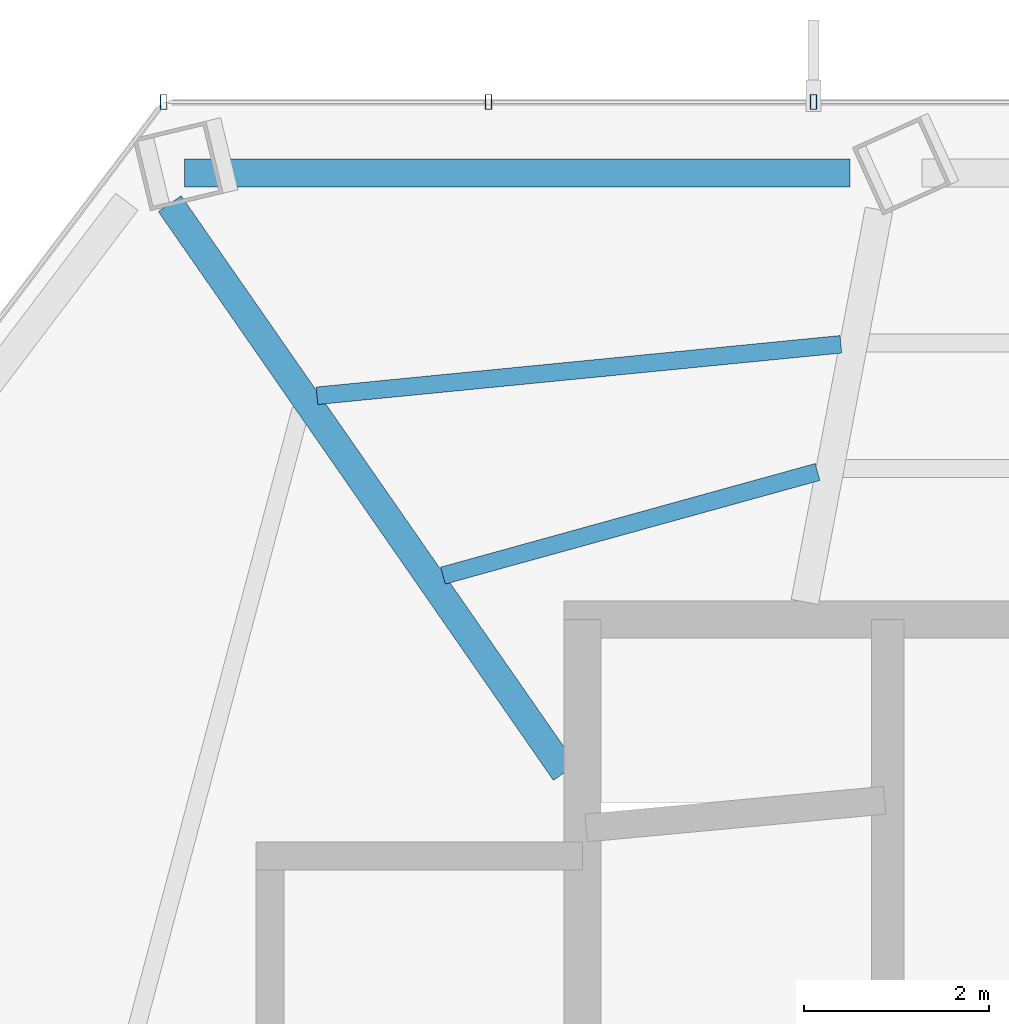
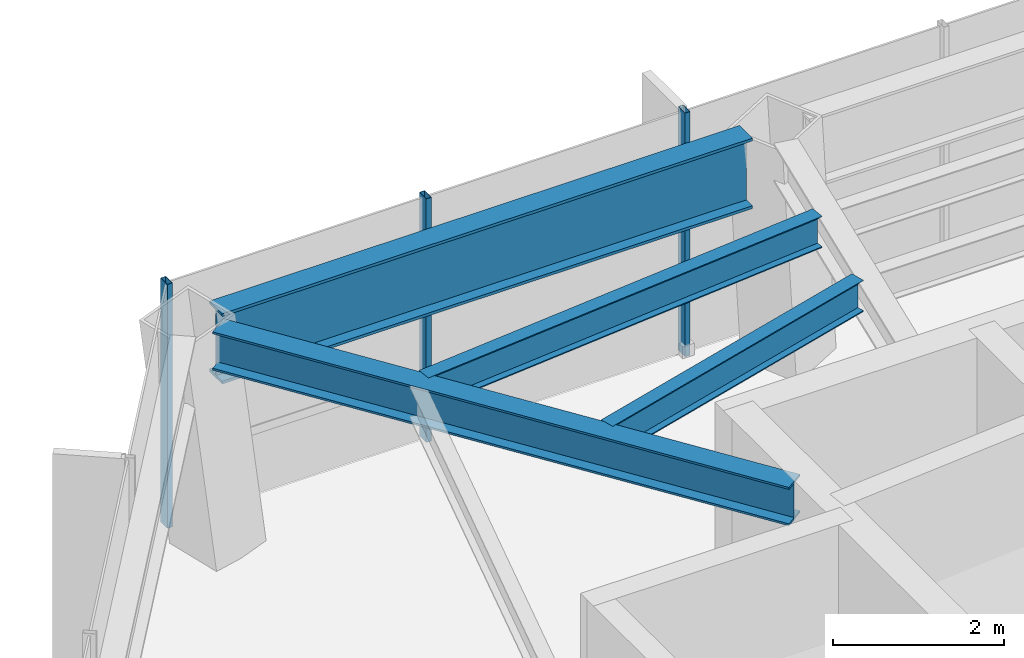
# One storey, part 13 of 28: 4 beams, 3 members, 1 element without a shape of its own.
"""IFC4 building model written with IfcOpenShell, lengths in metres."""

from ifc_helpers import new_model, si_unit, direction, frame, origin, origin_2d, place, context, subcontext, project, spatial, hollow_rectangle, i_section, extrude, material, layer, layer_set, material_profile, profile_set, type_object, element, aggregate, save


model = new_model("IFC4")

# Units and contexts
model_context = context("Model", 3, precision=1e-05, world=origin(), true_north=direction((0.0, 1.0)))
body_context = subcontext(model_context, "Body", "Model", "MODEL_VIEW")
ifc_project = project(units=[si_unit("LENGTHUNIT", "METRE"), si_unit("AREAUNIT", "SQUARE_METRE"), si_unit("VOLUMEUNIT", "CUBIC_METRE"), si_unit("PLANEANGLEUNIT", "RADIAN"), si_unit("MASSUNIT", "GRAM", prefix="KILO")], contexts=[model_context])

# Site, building, storey
site_placement = place(None, origin())
site = spatial("IfcSite", under=ifc_project, at=site_placement, CompositionType="ELEMENT")
building_placement = place(site_placement, origin())
building = spatial("IfcBuilding", under=site, at=building_placement, Name="Zarrinselat Tower", CompositionType="ELEMENT")
storey_placement = place(building_placement, frame((0.0, 0.0, 153.340087890625)))
storey = spatial("IfcBuildingStorey", under=building, at=storey_placement, Name="L37", CompositionType="ELEMENT", Elevation=153.340087890625)

# Beams
ifc_material_1 = material(Name="Steel S355J2", Category="steel")
ifc_material_profile_1 = material_profile(ifc_material_1, i_section(OverallWidth=0.300048828125, OverallDepth=0.550048828125, WebThickness=0.014892578125, FlangeThickness=0.029052734375, at=origin_2d()), Name="HEB 550")
ifc_profile_set_1 = profile_set([ifc_material_profile_1], Name="Steel S355J2")
beam_type_1 = type_object("IfcBeamType", Name="BM-HEB550", PredefinedType="BEAM", material=ifc_profile_set_1)
beam_1_placement = place(storey_placement, frame((24.147216796875, 47.9365234375, 3.21484375), z_axis=(0.570509087188, -0.82129128903, 0.0), x_axis=(0.82129128903, 0.570509087188, 0.0)))
element("IfcBeam", 1, at=beam_1_placement, inside=storey, type_object=beam_type_1, Name="L37 Radial Primary Girder RG05", PredefinedType="BEAM", context=body_context, shape_type="SweptSolid", body=[
    extrude(i_section(OverallWidth=0.300048828125, OverallDepth=0.550048828125, WebThickness=0.014892578125, FlangeThickness=0.029052734375, at=origin_2d()), origin(), (0.0, 0.0, 1.0), 7.4716796875),
])
ifc_material_2 = material(Name="Steel S460M", Category="steel")
ifc_material_profile_2 = material_profile(ifc_material_2, i_section(OverallWidth=0.302001953125, OverallDepth=1.008056640625, WebThickness=0.02099609375, FlangeThickness=0.0400390625, at=origin_2d()), Name="HEM 1000")
ifc_profile_set_2 = profile_set([ifc_material_profile_2], Name="Steel S460M")
beam_type_2 = type_object("IfcBeamType", Name="BM-HEM1000", PredefinedType="BEAM", material=ifc_profile_set_2)
beam_2_placement = place(storey_placement, frame((24.305908203125, 48.2666015625, 2.98583984375), z_axis=(1.0, 0.0, 0.0), x_axis=(0.0, 1.0, 0.0)))
element("IfcBeam", 2, at=beam_2_placement, inside=storey, type_object=beam_type_2, Name="L37 Perimeter Spandrel Girder SP04", PredefinedType="BEAM", context=body_context, shape_type="SweptSolid", body=[
    extrude(i_section(OverallWidth=0.302001953125, OverallDepth=1.008056640625, WebThickness=0.02099609375, FlangeThickness=0.0400390625, at=origin_2d()), origin(), (0.0, 0.0, 1.0), 7.18017578125),
])
ifc_material_3 = material(Name="Steel S355J2", Category="steel")
ifc_material_profile_3 = material_profile(ifc_material_3, i_section(OverallWidth=0.18994140625, OverallDepth=0.449951171875, WebThickness=0.009521484375, FlangeThickness=0.0146484375, at=origin_2d()), Name="IPE 450")
ifc_profile_set_3 = profile_set([ifc_material_profile_3], Name="Steel S355J2")
beam_type_3 = type_object("IfcBeamType", Name="BM-IPE450", PredefinedType="JOIST", material=ifc_profile_set_3)
beam_3_placement = place(storey_placement, frame((25.73583984375, 45.86376953125, 3.264892578125), z_axis=(0.995206811209, 0.097792652708, 0.0), x_axis=(-0.097792652708, 0.995206811209, 0.0)))
element("IfcBeam", 3, at=beam_3_placement, inside=storey, type_object=beam_type_3, Name="L37 Composite Floor Joist 8-1", PredefinedType="JOIST", context=body_context, shape_type="SweptSolid", body=[
    extrude(i_section(OverallWidth=0.18994140625, OverallDepth=0.449951171875, WebThickness=0.009521484375, FlangeThickness=0.0146484375, at=origin_2d()), origin(), (0.0, 0.0, 1.0), 5.6796875),
])
beam_4_placement = place(storey_placement, frame((27.095703125, 43.923583984375, 3.264892578125), z_axis=(0.963803480542, 0.266613673497, 0.0), x_axis=(-0.266613673497, 0.963803480542, 0.0)))
element("IfcBeam", 4, at=beam_4_placement, inside=storey, type_object=beam_type_3, Name="L37 Composite Floor Joist 8-2", PredefinedType="JOIST", context=body_context, shape_type="SweptSolid", body=[
    extrude(i_section(OverallWidth=0.18994140625, OverallDepth=0.449951171875, WebThickness=0.009521484375, FlangeThickness=0.0146484375, at=origin_2d()), origin(), (0.0, 0.0, 1.0), 4.193115234375),
])

# Curtain wall, members
ifc_material_4 = material(Name="Extruded Aluminium Alloy EN AW-6063 T6", Category="aluminium")
ifc_layer = layer(ifc_material_4, 0.175048828125)
ifc_layer_set = layer_set([ifc_layer], Name="Extruded Aluminium Alloy EN AW-6063 T6")
curtain_wall_type = type_object("IfcCurtainWallType", Name="CWS-HTL", PredefinedType="NOTDEFINED", material=ifc_layer_set)
curtain_wall_placement = place(storey_placement, origin())
curtain_wall = element("IfcCurtainWall", 5, at=curtain_wall_placement, inside=storey, type_object=curtain_wall_type, Name="L37 Unitised Curtain Wall CW-L37-E01", PredefinedType="NOTDEFINED")
ifc_material_5 = material(Name="Extruded Aluminium Alloy EN AW-6063 T6", Category="aluminium")
ifc_material_profile_4 = material_profile(ifc_material_5, hollow_rectangle(XDim=0.070068359375, YDim=0.159912109375, WallThickness=0.00390625, at=origin_2d()), Name="RHS 160x70x4")
ifc_profile_set_4 = profile_set([ifc_material_profile_4], Name="Extruded Aluminium Alloy EN AW-6063 T6")
member_type = type_object("IfcMemberType", Name="MEM-CW-MUL2", PredefinedType="MULLION", material=ifc_profile_set_4)
member_1_placement = place(storey_placement, frame((31.093017578125, 49.033203125, 0.0), z_axis=(0.0, 0.0, 1.0), x_axis=(-1.0, 0.0, 0.0)))
member_1 = element("IfcMember", 6, at=member_1_placement, type_object=member_type, Name="CW-L37-E01 Mullion 9", PredefinedType="MULLION", context=body_context, shape_type="SweptSolid", body=[
    extrude(hollow_rectangle(XDim=0.070068359375, YDim=0.159912109375, WallThickness=0.00390625, at=origin_2d()), origin(), (0.0, 0.0, 1.0), 3.489990234375),
])
member_2_placement = place(storey_placement, frame((27.58740234375, 49.033203125, 0.0), z_axis=(0.0, 0.0, 1.0), x_axis=(-1.0, 0.0, 0.0)))
member_2 = element("IfcMember", 7, at=member_2_placement, type_object=member_type, Name="CW-L37-E01 Mullion 10", PredefinedType="MULLION", context=body_context, shape_type="SweptSolid", body=[
    extrude(hollow_rectangle(XDim=0.070068359375, YDim=0.159912109375, WallThickness=0.00390625, at=origin_2d()), origin(), (0.0, 0.0, 1.0), 3.489990234375),
])
member_3_placement = place(storey_placement, frame((24.081787109375, 49.033203125, 0.0), z_axis=(0.0, 0.0, 1.0), x_axis=(-1.0, 0.0, 0.0)))
member_3 = element("IfcMember", 8, at=member_3_placement, type_object=member_type, Name="CW-L37-E01 Mullion 11", PredefinedType="MULLION", context=body_context, shape_type="SweptSolid", body=[
    extrude(hollow_rectangle(XDim=0.070068359375, YDim=0.159912109375, WallThickness=0.00390625, at=origin_2d()), origin(), (0.0, 0.0, 1.0), 3.489990234375),
])
aggregate(curtain_wall, [member_1, member_2, member_3])

save(model, "model.ifc")
